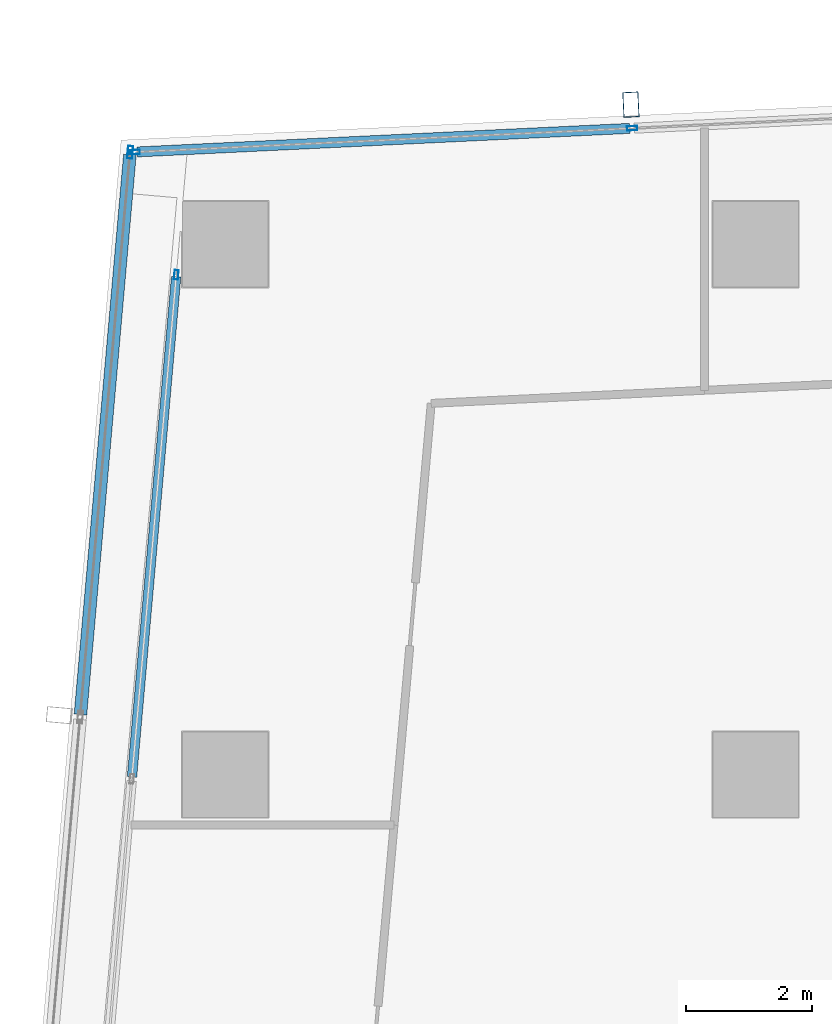
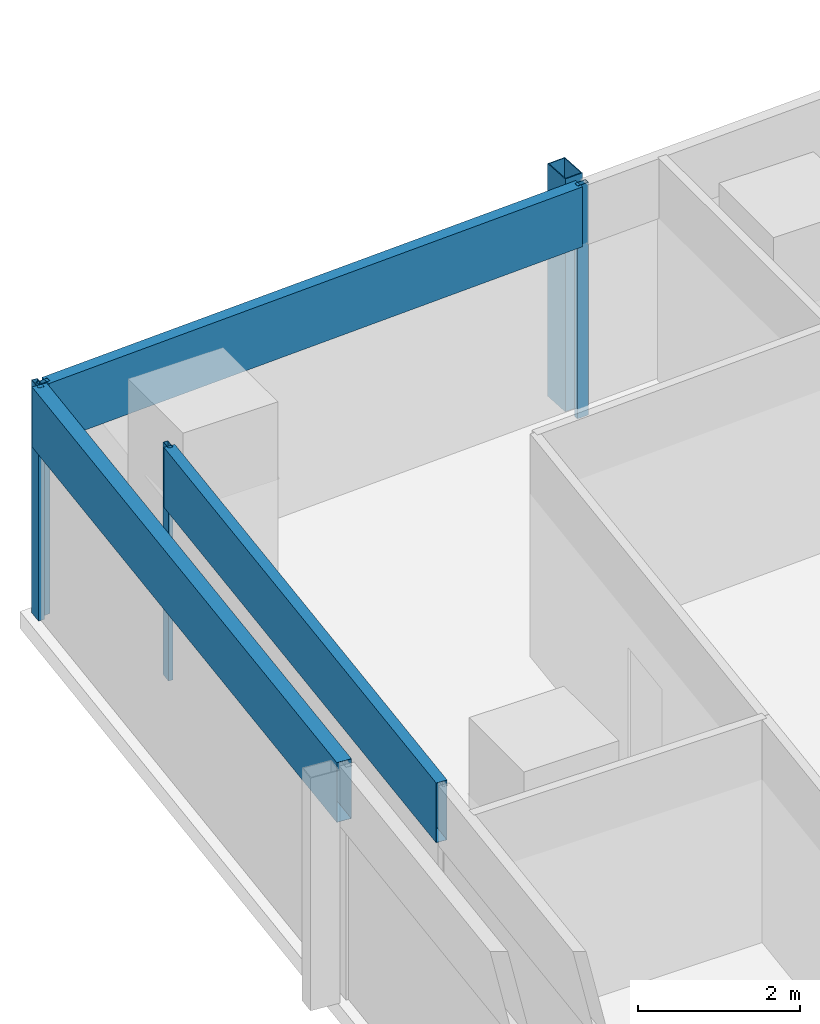
# One storey, part 17 of 38: 8 members, 3 elements without a shape of their own.
"""IFC4 building model written with IfcOpenShell, lengths in metres."""

from ifc_helpers import new_model, si_unit, direction, frame, origin, origin_2d, place, context, subcontext, project, spatial, hollow_rectangle, extrude, material, material_profile, profile_set, type_object, element, aggregate, save


model = new_model("IFC4")

# Units and contexts
model_context = context("Model", 3, precision=1e-05, world=origin(), true_north=direction((0.0, 1.0)))
body_context = subcontext(model_context, "Body", "Model", "MODEL_VIEW")
ifc_project = project(units=[si_unit("LENGTHUNIT", "METRE"), si_unit("AREAUNIT", "SQUARE_METRE"), si_unit("VOLUMEUNIT", "CUBIC_METRE"), si_unit("PLANEANGLEUNIT", "RADIAN"), si_unit("MASSUNIT", "GRAM", prefix="KILO")], contexts=[model_context])

# Site, building, storey
site_placement = place(None, origin())
site = spatial("IfcSite", under=ifc_project, at=site_placement, CompositionType="ELEMENT")
building_placement = place(site_placement, origin())
building = spatial("IfcBuilding", under=site, at=building_placement, Name="Rekha Terrace Tower", CompositionType="ELEMENT")
storey_placement = place(building_placement, frame((0.0, 0.0, 198.949951171875)))
storey = spatial("IfcBuildingStorey", under=building, at=storey_placement, Name="L50", CompositionType="ELEMENT", Elevation=198.949951171875)

# Curtain wall, member
ifc_material_1 = material(Name="Aluminium framing", Category="aluminium")
curtain_wall_type_1 = type_object("IfcCurtainWallType", Name="CW3 north unitised glazing", PredefinedType="USERDEFINED", material=ifc_material_1)
curtain_wall_1_placement = place(storey_placement, origin())
curtain_wall_1 = element("IfcCurtainWall", 1, at=curtain_wall_1_placement, inside=storey, type_object=curtain_wall_type_1, Name="CW3 unitised curtain wall", ObjectType="UNITISED CURTAIN WALL", PredefinedType="USERDEFINED")
ifc_material_2 = material(Name="Steel S355 with fluorocarbon finish", Category="steel")
ifc_material_profile_1 = material_profile(ifc_material_2, hollow_rectangle(XDim=0.25, YDim=0.39990234375, WallThickness=0.012451171875, at=origin_2d()), Name="RHS400x250x12.5")
ifc_profile_set_1 = profile_set([ifc_material_profile_1], Name="Steel S355 with fluorocarbon finish")
member_type_1 = type_object("IfcMemberType", Name="BL1 facade blade RHS 400 x 250", PredefinedType="USERDEFINED", material=ifc_profile_set_1)
member_1_placement = place(storey_placement, frame((14.824951171875, 61.01123046875, 0.0), z_axis=(0.0, 0.0, 1.0), x_axis=(-0.998858913274, -0.04775846913, 0.0)))
member_1 = element("IfcMember", 2, at=member_1_placement, type_object=member_type_1, Name="Facade blade", ObjectType="FACADE BLADE", PredefinedType="USERDEFINED", context=body_context, shape_type="SweptSolid", body=[
    extrude(hollow_rectangle(XDim=0.25, YDim=0.39990234375, WallThickness=0.012451171875, at=origin_2d()), origin(), (0.0, 0.0, 1.0), 3.5),
])

# Curtain wall, members
curtain_wall_type_2 = type_object("IfcCurtainWallType", Name="CW1 double skin inner glazing", PredefinedType="USERDEFINED", material=ifc_material_1)
curtain_wall_2_placement = place(storey_placement, origin())
curtain_wall_2 = element("IfcCurtainWall", 3, at=curtain_wall_2_placement, inside=storey, type_object=curtain_wall_type_2, Name="CW1 double skin inner glazing", ObjectType="DOUBLE SKIN INNER GLAZING", PredefinedType="USERDEFINED")
ifc_material_3 = material(Name="Aluminium mullion section", Category="aluminium")
ifc_material_profile_2 = material_profile(ifc_material_3, hollow_rectangle(XDim=0.06494140625, YDim=0.14990234375, WallThickness=0.00390625, at=origin_2d()), Name="AL RHS 65x150")
ifc_profile_set_2 = profile_set([ifc_material_profile_2], Name="Aluminium mullion section")
member_type_2 = type_object("IfcMemberType", Name="CW1 mullion RHS 65 x 150", PredefinedType="MULLION", material=ifc_profile_set_2)
member_2_placement = place(storey_placement, frame((7.625732421875, 58.316650390625, 0.0), z_axis=(0.0, 0.0, 1.0), x_axis=(0.996124185422, -0.087957985523, 0.0)))
member_2 = element("IfcMember", 4, at=member_2_placement, type_object=member_type_2, Name="CW1 mullion 1", PredefinedType="MULLION", context=body_context, shape_type="SweptSolid", body=[
    extrude(hollow_rectangle(XDim=0.06494140625, YDim=0.14990234375, WallThickness=0.00390625, at=origin_2d()), origin(), (0.0, 0.0, 1.0), 3.5),
])
ifc_material_4 = material(Name="Insulated aluminium spandrel box", Category="aluminium")
ifc_material_profile_3 = material_profile(ifc_material_4, hollow_rectangle(XDim=0.14990234375, YDim=0.89990234375, WallThickness=0.0029296875, at=origin_2d()), Name="AL SPANDREL BOX 150x900")
ifc_profile_set_3 = profile_set([ifc_material_profile_3], Name="Insulated aluminium spandrel box")
member_type_3 = type_object("IfcMemberType", Name="CW1 spandrel transom 150 x 900", PredefinedType="USERDEFINED", material=ifc_profile_set_3)
member_3_placement = place(storey_placement, frame((7.622802734375, 58.2841796875, 3.050048828125), z_axis=(-0.087941305291, -0.996125658149, 0.0), x_axis=(0.996125658149, -0.087941305291, 0.0)))
member_3 = element("IfcMember", 5, at=member_3_placement, type_object=member_type_3, Name="CW1 spandrel transom 1", ObjectType="TRANSOM", PredefinedType="USERDEFINED", context=body_context, shape_type="SweptSolid", body=[
    extrude(hollow_rectangle(XDim=0.14990234375, YDim=0.89990234375, WallThickness=0.0029296875, at=origin_2d()), origin(), (0.0, 0.0, 1.0), 7.950927734375),
])
aggregate(curtain_wall_2, [member_2, member_3])

curtain_wall_type_3 = type_object("IfcCurtainWallType", Name="CW2 double skin outer glazing", PredefinedType="USERDEFINED", material=ifc_material_1)
curtain_wall_3_placement = place(storey_placement, origin())
curtain_wall_3 = element("IfcCurtainWall", 6, at=curtain_wall_3_placement, inside=storey, type_object=curtain_wall_type_3, Name="CW2 double skin outer glazing", ObjectType="DOUBLE SKIN OUTER GLAZING", PredefinedType="USERDEFINED")
ifc_material_profile_4 = material_profile(ifc_material_3, hollow_rectangle(XDim=0.080078125, YDim=0.199951171875, WallThickness=0.00390625, at=origin_2d()), Name="AL RHS 80x200")
ifc_profile_set_4 = profile_set([ifc_material_profile_4], Name="Aluminium mullion section")
member_type_4 = type_object("IfcMemberType", Name="CW2 mullion RHS 80 x 200", PredefinedType="MULLION", material=ifc_profile_set_4)
member_4_placement = place(storey_placement, frame((6.8935546875, 60.257080078125, 0.0), z_axis=(0.0, 0.0, 1.0), x_axis=(0.996124185428, -0.087957985453, 0.0)))
member_4 = element("IfcMember", 7, at=member_4_placement, type_object=member_type_4, Name="CW2 mullion 1", PredefinedType="MULLION", context=body_context, shape_type="SweptSolid", body=[
    extrude(hollow_rectangle(XDim=0.080078125, YDim=0.199951171875, WallThickness=0.00390625, at=origin_2d()), origin(), (0.0, 0.0, 1.0), 3.5),
])
ifc_material_profile_5 = material_profile(ifc_material_4, hollow_rectangle(XDim=0.199951171875, YDim=0.89990234375, WallThickness=0.0029296875, at=origin_2d()), Name="AL SPANDREL BOX 200x900")
ifc_profile_set_5 = profile_set([ifc_material_profile_5], Name="Insulated aluminium spandrel box")
member_type_5 = type_object("IfcMemberType", Name="CW2 spandrel transom 200 x 900", PredefinedType="USERDEFINED", material=ifc_profile_set_5)
member_5_placement = place(storey_placement, frame((6.89013671875, 60.217041015625, 3.050048828125), z_axis=(-0.08797787529, -0.996122428951, 0.0), x_axis=(0.996122428951, -0.08797787529, 0.0)))
member_5 = element("IfcMember", 8, at=member_5_placement, type_object=member_type_5, Name="CW2 spandrel transom 1", ObjectType="TRANSOM", PredefinedType="USERDEFINED", context=body_context, shape_type="SweptSolid", body=[
    extrude(hollow_rectangle(XDim=0.199951171875, YDim=0.89990234375, WallThickness=0.0029296875, at=origin_2d()), origin(), (0.0, 0.0, 1.0), 8.8994140625),
])
aggregate(curtain_wall_3, [member_4, member_5])

# Member
ifc_material_profile_6 = material_profile(ifc_material_3, hollow_rectangle(XDim=0.070068359375, YDim=0.159912109375, WallThickness=0.00390625, at=origin_2d()), Name="AL RHS 70x160")
ifc_profile_set_6 = profile_set([ifc_material_profile_6], Name="Aluminium mullion section")
member_type_6 = type_object("IfcMemberType", Name="CW3 mullion RHS 70 x 160", PredefinedType="MULLION", material=ifc_profile_set_6)
member_6_placement = place(storey_placement, frame((14.843017578125, 60.63671875, 0.0), z_axis=(0.0, 0.0, 1.0), x_axis=(0.047758616983, -0.998858906204, 0.0)))
member_6 = element("IfcMember", 9, at=member_6_placement, type_object=member_type_6, Name="CW3 mullion 5", PredefinedType="MULLION", context=body_context, shape_type="SweptSolid", body=[
    extrude(hollow_rectangle(XDim=0.070068359375, YDim=0.159912109375, WallThickness=0.00390625, at=origin_2d()), origin(), (0.0, 0.0, 1.0), 3.5),
])

member_7_placement = place(storey_placement, frame((6.96875, 60.26025390625, 0.0), z_axis=(0.0, 0.0, 1.0), x_axis=(0.047758616983, -0.998858906204, 0.0)))
member_7 = element("IfcMember", 10, at=member_7_placement, type_object=member_type_6, Name="CW3 mullion 6", PredefinedType="MULLION", context=body_context, shape_type="SweptSolid", body=[
    extrude(hollow_rectangle(XDim=0.070068359375, YDim=0.159912109375, WallThickness=0.00390625, at=origin_2d()), origin(), (0.0, 0.0, 1.0), 3.5),
])

ifc_material_profile_7 = material_profile(ifc_material_4, hollow_rectangle(XDim=0.159912109375, YDim=0.89990234375, WallThickness=0.0029296875, at=origin_2d()), Name="AL SPANDREL BOX 160x900")
ifc_profile_set_7 = profile_set([ifc_material_profile_7], Name="Insulated aluminium spandrel box")
member_type_7 = type_object("IfcMemberType", Name="CW3 spandrel transom 160 x 900", PredefinedType="USERDEFINED", material=ifc_profile_set_7)
member_8_placement = place(storey_placement, frame((14.807861328125, 60.635009765625, 3.050048828125), z_axis=(-0.998859425172, -0.047747761666, 0.0), x_axis=(0.047747761666, -0.998859425172, 0.0)))
member_8 = element("IfcMember", 11, at=member_8_placement, type_object=member_type_7, Name="CW3 spandrel transom 5", ObjectType="TRANSOM", PredefinedType="USERDEFINED", context=body_context, shape_type="SweptSolid", body=[
    extrude(hollow_rectangle(XDim=0.159912109375, YDim=0.89990234375, WallThickness=0.0029296875, at=origin_2d()), origin(), (0.0, 0.0, 1.0), 7.81298828125),
])

aggregate(curtain_wall_1, [member_6, member_7, member_8, member_1])

save(model, "model.ifc")
